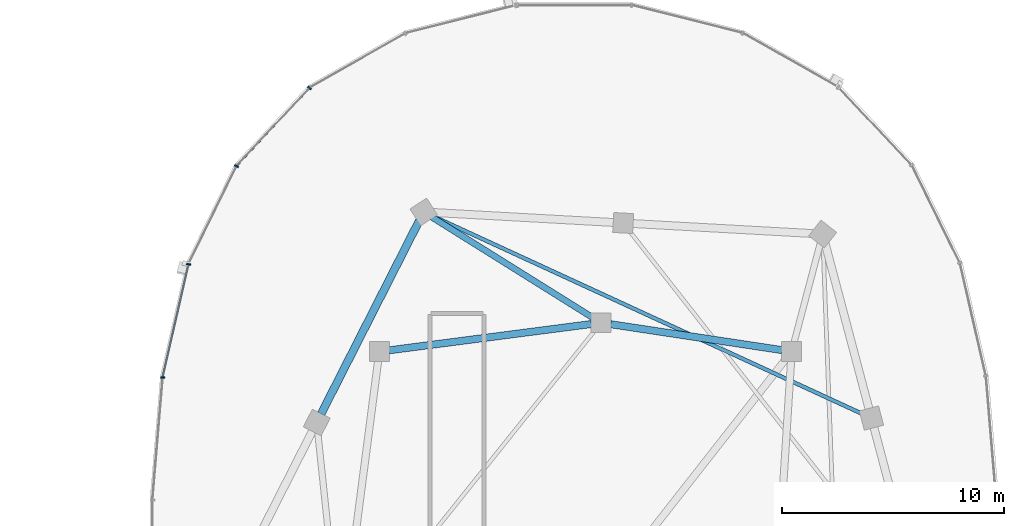
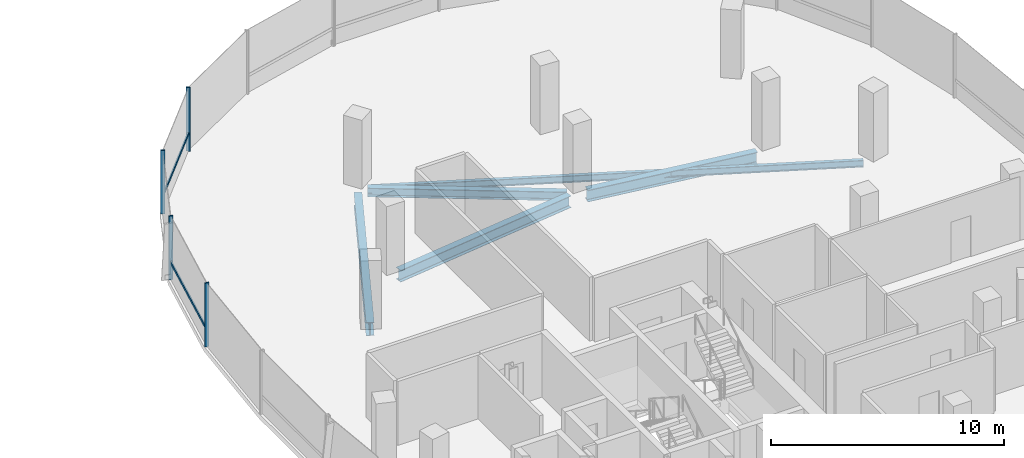
# One storey, part 11 of 25: 6 members, 5 beams, 1 element without a shape of its own.
"""IFC4 building model written with IfcOpenShell, lengths in metres."""

from ifc_helpers import new_model, si_unit, direction, frame, origin, origin_2d, place, context, subcontext, project, spatial, rectangle, i_section, extrude, material, material_profile, profile_set, type_object, element, aggregate, save


model = new_model("IFC4")

# Units and contexts
model_context = context("Model", 3, precision=1e-05, world=origin(), true_north=direction((0.0, 1.0)))
body_context = subcontext(model_context, "Body", "Model", "MODEL_VIEW")
ifc_project = project(units=[si_unit("LENGTHUNIT", "METRE"), si_unit("AREAUNIT", "SQUARE_METRE"), si_unit("VOLUMEUNIT", "CUBIC_METRE"), si_unit("PLANEANGLEUNIT", "RADIAN"), si_unit("MASSUNIT", "GRAM", prefix="KILO"), si_unit("THERMODYNAMICTEMPERATUREUNIT", "KELVIN"), si_unit("POWERUNIT", "WATT")], contexts=[model_context])

# Site, building, storey
site_placement = place(None, origin())
site = spatial("IfcSite", under=ifc_project, at=site_placement, CompositionType="ELEMENT")
building_placement = place(site_placement, origin())
building = spatial("IfcBuilding", under=site, at=building_placement, Name="Cundina Bronze Exchange", CompositionType="ELEMENT")
storey_placement = place(building_placement, frame((0.0, 0.0, 195.39990234375)))
storey = spatial("IfcBuildingStorey", under=building, at=storey_placement, Name="L51", CompositionType="ELEMENT", Elevation=195.39990234375)

# Beams
ifc_material_1 = material(Name="Steel ASTM A992 Grade 50", Category="steel")
ifc_material_profile_1 = material_profile(ifc_material_1, i_section(OverallWidth=0.280029296875, OverallDepth=0.462890625, WebThickness=0.0107421875, FlangeThickness=0.017333984375, FilletRadius=0.011962890625, at=origin_2d()), Name="W18X76", Category="steel")
ifc_profile_set_1 = profile_set([ifc_material_profile_1], Name="Steel ASTM A992 Grade 50")
beam_type_1 = type_object("IfcBeamType", Name="BM-FLR-W18A", PredefinedType="BEAM", material=ifc_profile_set_1)
beam_1_placement = place(storey_placement, frame((32.82861328125, 11.031982421875, -0.491455078125), z_axis=(-0.847995098703, 0.530004068452, 0.0), x_axis=(-0.530004068452, -0.847995098703, 0.0)))
element("IfcBeam", 1, at=beam_1_placement, inside=storey, type_object=beam_type_1, Name="L51 Leg E Chordal Floor Beam 12", PredefinedType="BEAM", context=body_context, shape_type="SweptSolid", body=[
    extrude(i_section(OverallWidth=0.280029296875, OverallDepth=0.462890625, WebThickness=0.0107421875, FlangeThickness=0.017333984375, FilletRadius=0.011962890625, at=origin_2d()), origin(), (0.0, 0.0, 1.0), 8.55810546875),
])
ifc_material_profile_2 = material_profile(ifc_material_1, i_section(OverallWidth=0.172119140625, OverallDepth=0.35791015625, WebThickness=0.0078125, FlangeThickness=0.01318359375, FilletRadius=0.010009765625, at=origin_2d()), Name="W14X38", Category="steel")
ifc_profile_set_2 = profile_set([ifc_material_profile_2], Name="Steel ASTM A992 Grade 50")
beam_type_2 = type_object("IfcBeamType", Name="BM-JST-W14", PredefinedType="JOIST", material=ifc_profile_set_2)
beam_2_placement = place(storey_placement, frame((45.002197265625, 6.68310546875, -0.43896484375), z_axis=(-0.908355026127, 0.418199888224, 0.0), x_axis=(-0.418199888224, -0.908355026127, 0.0)))
element("IfcBeam", 2, at=beam_2_placement, inside=storey, type_object=beam_type_2, Name="L51 Leg E Lobe Floor Joist 09-12", PredefinedType="JOIST", context=body_context, shape_type="SweptSolid", body=[
    extrude(i_section(OverallWidth=0.172119140625, OverallDepth=0.35791015625, WebThickness=0.0078125, FlangeThickness=0.01318359375, FilletRadius=0.010009765625, at=origin_2d()), origin(), (0.0, 0.0, 1.0), 21.362060546875),
])
ifc_material_profile_3 = material_profile(ifc_material_1, i_section(OverallWidth=0.324951171875, OverallDepth=0.615966796875, WebThickness=0.013916015625, FlangeThickness=0.021484375, FilletRadius=0.01611328125, at=origin_2d()), Name="W24X117", Category="steel")
ifc_profile_set_3 = profile_set([ifc_material_profile_3], Name="Steel ASTM A992 Grade 50")
beam_type_3 = type_object("IfcBeamType", Name="BM-RING-W24", PredefinedType="USERDEFINED", material=ifc_profile_set_3)
beam_3_placement = place(storey_placement, frame((41.366943359375, 9.5654296875, -0.56787109375), z_axis=(-0.988764903598, 0.149478979839, 0.0), x_axis=(-0.149478979839, -0.988764903598, 0.0)))
element("IfcBeam", 3, at=beam_3_placement, inside=storey, type_object=beam_type_3, Name="L51 E Inner Structural Ring Girder 05", ObjectType="GIRDER", PredefinedType="USERDEFINED", context=body_context, shape_type="SweptSolid", body=[
    extrude(i_section(OverallWidth=0.324951171875, OverallDepth=0.615966796875, WebThickness=0.013916015625, FlangeThickness=0.021484375, FilletRadius=0.01611328125, at=origin_2d()), origin(), (0.0, 0.0, 1.0), 7.82177734375),
])
beam_4_placement = place(storey_placement, frame((32.765625, 10.743408203125, -0.56787109375), z_axis=(-0.991656498582, -0.128908451316, 0.0), x_axis=(0.128908451316, -0.991656498582, 0.0)))
element("IfcBeam", 4, at=beam_4_placement, inside=storey, type_object=beam_type_3, Name="L51 E Inner Structural Ring Girder 06", ObjectType="GIRDER", PredefinedType="USERDEFINED", context=body_context, shape_type="SweptSolid", body=[
    extrude(i_section(OverallWidth=0.324951171875, OverallDepth=0.615966796875, WebThickness=0.013916015625, FlangeThickness=0.021484375, FilletRadius=0.01611328125, at=origin_2d()), origin(), (0.0, 0.0, 1.0), 9.208251953125),
])
ifc_material_profile_4 = material_profile(ifc_material_1, i_section(OverallWidth=0.35498046875, OverallDepth=0.695068359375, WebThickness=0.015380859375, FlangeThickness=0.02490234375, FilletRadius=0.01806640625, at=origin_2d()), Name="W27X146", Category="steel")
ifc_profile_set_4 = profile_set([ifc_material_profile_4], Name="Steel ASTM A992 Grade 50")
beam_type_4 = type_object("IfcBeamType", Name="BM-RING-W27", PredefinedType="USERDEFINED", material=ifc_profile_set_4)
beam_5_placement = place(storey_placement, frame((25.001708984375, 15.409423828125, -0.607421875), z_axis=(-0.452846871434, -0.891588308039, 0.0), x_axis=(0.891588308039, -0.452846871434, 0.0)))
element("IfcBeam", 5, at=beam_5_placement, inside=storey, type_object=beam_type_4, Name="L51 E Perimeter Ring Girder 12", ObjectType="GIRDER", PredefinedType="USERDEFINED", context=body_context, shape_type="SweptSolid", body=[
    extrude(i_section(OverallWidth=0.35498046875, OverallDepth=0.695068359375, WebThickness=0.015380859375, FlangeThickness=0.02490234375, FilletRadius=0.01806640625, at=origin_2d()), origin(), (0.0, 0.0, 1.0), 9.779052734375),
])

# Curtain wall, members
ifc_material_2 = material(Name="Anodised Bronze Aluminium 6063-T6", Category="aluminium")
curtain_wall_type = type_object("IfcCurtainWallType", Name="CWS-UPP-OFF", PredefinedType="NOTDEFINED", material=ifc_material_2)
curtain_wall_placement = place(storey_placement, origin())
curtain_wall = element("IfcCurtainWall", 6, at=curtain_wall_placement, inside=storey, type_object=curtain_wall_type, Name="L51 CW-05 Curtain Wall Run CWR-L51-E2", PredefinedType="NOTDEFINED")
ifc_material_profile_5 = material_profile(ifc_material_2, rectangle(XDim=0.070068359375, YDim=0.18994140625, at=origin_2d()), Name="AL70X190", Category="aluminium")
ifc_profile_set_5 = profile_set([ifc_material_profile_5], Name="Anodised Bronze Aluminium 6063-T6")
member_type_1 = type_object("IfcMemberType", Name="CWM-MUL-190", PredefinedType="MULLION", material=ifc_profile_set_5)
member_1_placement = place(storey_placement, frame((20.05126953125, 21.392578125, 0.0), z_axis=(0.0, 0.0, 1.0), x_axis=(-0.684292606175, -0.729207535023, 0.0)))
member_1 = element("IfcMember", 7, at=member_1_placement, type_object=member_type_1, Name="CW-05 Mullion 3", PredefinedType="MULLION", context=body_context, shape_type="SweptSolid", body=[
    extrude(rectangle(XDim=0.070068359375, YDim=0.18994140625, at=origin_2d()), origin(), (0.0, 0.0, 1.0), 3.340087890625),
])
member_2_placement = place(storey_placement, frame((16.754638671875, 17.866455078125, 0.0), z_axis=(0.0, 0.0, 1.0), x_axis=(-0.440566004113, -0.897720221461, 0.0)))
member_2 = element("IfcMember", 8, at=member_2_placement, type_object=member_type_1, Name="CW-05 Mullion 4", PredefinedType="MULLION", context=body_context, shape_type="SweptSolid", body=[
    extrude(rectangle(XDim=0.070068359375, YDim=0.18994140625, at=origin_2d()), origin(), (0.0, 0.0, 1.0), 3.340087890625),
])
member_3_placement = place(storey_placement, frame((14.59228515625, 13.440673828125, 0.0), z_axis=(0.0, 0.0, 1.0), x_axis=(-0.223250116011, -0.974761194191, 0.0)))
member_3 = element("IfcMember", 9, at=member_3_placement, type_object=member_type_1, Name="CW-05 Mullion 5", PredefinedType="MULLION", context=body_context, shape_type="SweptSolid", body=[
    extrude(rectangle(XDim=0.070068359375, YDim=0.18994140625, at=origin_2d()), origin(), (0.0, 0.0, 1.0), 3.340087890625),
])
member_4_placement = place(storey_placement, frame((13.427490234375, 8.33056640625, 0.0), z_axis=(0.0, 0.0, 1.0), x_axis=(-0.083677843332, -0.99649285925, 0.0)))
member_4 = element("IfcMember", 10, at=member_4_placement, type_object=member_type_1, Name="CW-05 Mullion 6", PredefinedType="MULLION", context=body_context, shape_type="SweptSolid", body=[
    extrude(rectangle(XDim=0.070068359375, YDim=0.18994140625, at=origin_2d()), origin(), (0.0, 0.0, 1.0), 3.340087890625),
])
ifc_material_profile_6 = material_profile(ifc_material_2, rectangle(XDim=0.06494140625, YDim=0.14990234375, at=origin_2d()), Name="AL65X150", Category="aluminium")
ifc_profile_set_6 = profile_set([ifc_material_profile_6], Name="Anodised Bronze Aluminium 6063-T6")
member_type_2 = type_object("IfcMemberType", Name="CWM-TRN-150", PredefinedType="USERDEFINED", material=ifc_profile_set_6)
member_5_placement = place(storey_placement, frame((20.02490234375, 21.364501953125, 0.920166015625), z_axis=(-0.684336416554, -0.729166420633, 0.0), x_axis=(0.729166420633, -0.684336416554, 0.0)))
member_5 = element("IfcMember", 11, at=member_5_placement, type_object=member_type_2, Name="CW-05 Spandrel Transom 3", ObjectType="TRANSOM", PredefinedType="USERDEFINED", context=body_context, shape_type="SweptSolid", body=[
    extrude(rectangle(XDim=0.06494140625, YDim=0.14990234375, at=origin_2d()), origin(), (0.0, 0.0, 1.0), 4.76513671875),
])
member_6_placement = place(storey_placement, frame((14.58349609375, 13.403076171875, 0.920166015625), z_axis=(-0.22328343579, -0.974753562344, 0.0), x_axis=(0.974753562344, -0.22328343579, 0.0)))
member_6 = element("IfcMember", 12, at=member_6_placement, type_object=member_type_2, Name="CW-05 Spandrel Transom 5", ObjectType="TRANSOM", PredefinedType="USERDEFINED", context=body_context, shape_type="SweptSolid", body=[
    extrude(rectangle(XDim=0.06494140625, YDim=0.14990234375, at=origin_2d()), origin(), (0.0, 0.0, 1.0), 5.159912109375),
])
aggregate(curtain_wall, [member_1, member_5, member_2, member_3, member_6, member_4])

save(model, "model.ifc")
